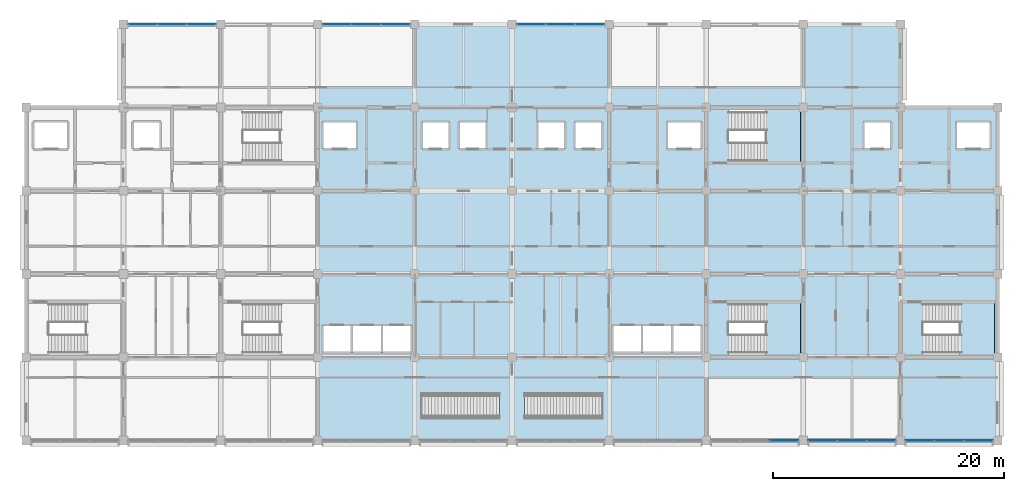
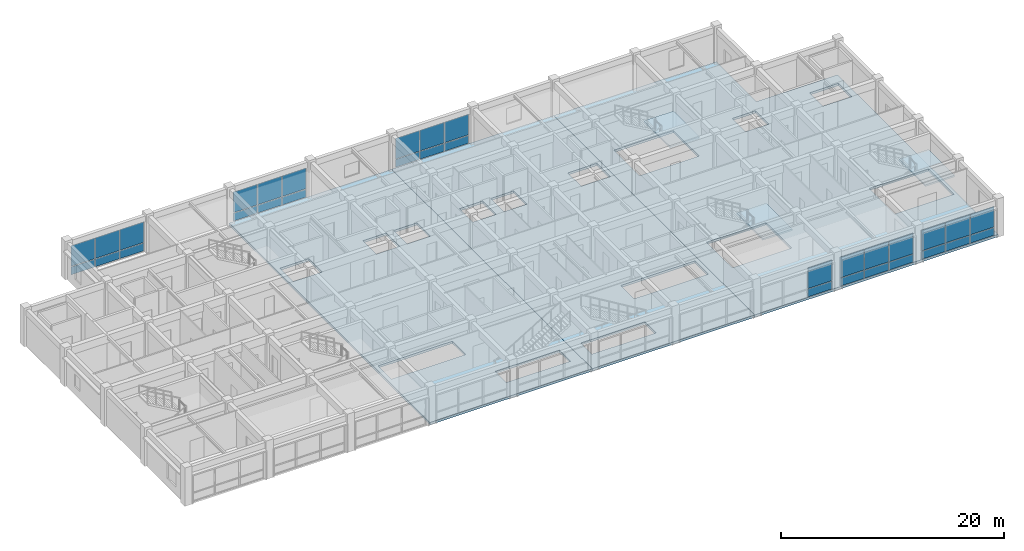
# One storey, part 11 of 27: 32 plates, 6 slabs, 9 elements without a shape of their own.
"""IFC4 building model written with IfcOpenShell, lengths in metres."""

from ifc_helpers import new_model, si_unit, direction, frame, origin, origin_2d, place, context, subcontext, project, spatial, polyline, rectangle, outline, extrude, material, layer, layer_set, type_object, element, aggregate, save


model = new_model("IFC4")

# Units and contexts
model_context = context("Model", 3, precision=1e-05, world=origin(), true_north=direction((0.0, 1.0)))
body_context = subcontext(model_context, "Body", "Model", "MODEL_VIEW")
ifc_project = project(units=[si_unit("LENGTHUNIT", "METRE"), si_unit("AREAUNIT", "SQUARE_METRE"), si_unit("VOLUMEUNIT", "CUBIC_METRE"), si_unit("PLANEANGLEUNIT", "RADIAN"), si_unit("MASSUNIT", "GRAM", prefix="KILO")], contexts=[model_context])

# Site, building, storey
site_placement = place(None, origin())
site = spatial("IfcSite", under=ifc_project, at=site_placement, CompositionType="ELEMENT")
building_placement = place(site_placement, origin())
building = spatial("IfcBuilding", under=site, at=building_placement, Name="Chengyuan Square Courthouse", CompositionType="ELEMENT")
storey_placement = place(building_placement, frame((0.0, 0.0, 39.300048828125)))
storey = spatial("IfcBuildingStorey", under=building, at=storey_placement, Name="L09", CompositionType="ELEMENT", Elevation=39.300048828125)

# Curtain wall, plates
ifc_material_1 = material(Name="Unitised Aluminium and Triple Low-E Glass", Category="aluminium")
ifc_layer_1 = layer(ifc_material_1, 0.159912109375)
ifc_layer_set_1 = layer_set([ifc_layer_1], Name="Unitised Aluminium and Triple Low-E Glass")
curtain_wall_type = type_object("IfcCurtainWallType", Name="CW-01", PredefinedType="USERDEFINED", material=ifc_layer_set_1)
curtain_wall_1_placement = place(storey_placement, origin())
curtain_wall_1 = element("IfcCurtainWall", 1, at=curtain_wall_1_placement, inside=storey, type_object=curtain_wall_type, Name="Unitised Curtain Wall CW-L09-236", ObjectType="UNITISED CURTAIN WALL", PredefinedType="USERDEFINED")
ifc_material_2 = material(Name="Triple Low-E Insulating Glass", Category="glass")
ifc_layer_2 = layer(ifc_material_2, 0.02392578125)
ifc_layer_set_2 = layer_set([ifc_layer_2], Name="Triple Low-E Insulating Glass")
plate_type = type_object("IfcPlateType", Name="CWP-01", PredefinedType="CURTAIN_PANEL", material=ifc_layer_set_2)
plate_1_placement = place(storey_placement, frame((52.06494140625, 115.199951171875, 0.06005859375), z_axis=(0.0, 0.0, 1.0), x_axis=(1.0, 0.0, 0.0)))
plate_1 = element("IfcPlate", 2, at=plate_1_placement, type_object=plate_type, Name="CW-01 panel 1.1", PredefinedType="CURTAIN_PANEL", context=body_context, shape_type="SweptSolid", body=[
    extrude(rectangle(XDim=2.4599609375, YDim=0.02392578125, at=origin_2d()), origin(), (0.0, 0.0, 1.0), 0.860107421875),
])
plate_2_placement = place(storey_placement, frame((52.06494140625, 115.199951171875, 0.97998046875), z_axis=(0.0, 0.0, 1.0), x_axis=(1.0, 0.0, 0.0)))
plate_2 = element("IfcPlate", 3, at=plate_2_placement, type_object=plate_type, Name="CW-01 panel 1.2", PredefinedType="CURTAIN_PANEL", context=body_context, shape_type="SweptSolid", body=[
    extrude(rectangle(XDim=2.4599609375, YDim=0.02392578125, at=origin_2d()), origin(), (0.0, 0.0, 1.0), 2.260009765625),
])
plate_3_placement = place(storey_placement, frame((54.60009765625, 115.199951171875, 0.06005859375), z_axis=(0.0, 0.0, 1.0), x_axis=(1.0, 0.0, 0.0)))
plate_3 = element("IfcPlate", 4, at=plate_3_placement, type_object=plate_type, Name="CW-01 panel 2.1", PredefinedType="CURTAIN_PANEL", context=body_context, shape_type="SweptSolid", body=[
    extrude(rectangle(XDim=2.489990234375, YDim=0.02392578125, at=origin_2d()), origin(), (0.0, 0.0, 1.0), 0.860107421875),
])
plate_4_placement = place(storey_placement, frame((54.60009765625, 115.199951171875, 0.97998046875), z_axis=(0.0, 0.0, 1.0), x_axis=(1.0, 0.0, 0.0)))
plate_4 = element("IfcPlate", 5, at=plate_4_placement, type_object=plate_type, Name="CW-01 panel 2.2", PredefinedType="CURTAIN_PANEL", context=body_context, shape_type="SweptSolid", body=[
    extrude(rectangle(XDim=2.489990234375, YDim=0.02392578125, at=origin_2d()), origin(), (0.0, 0.0, 1.0), 2.260009765625),
])
plate_5_placement = place(storey_placement, frame((57.135009765625, 115.199951171875, 0.06005859375), z_axis=(0.0, 0.0, 1.0), x_axis=(1.0, 0.0, 0.0)))
plate_5 = element("IfcPlate", 6, at=plate_5_placement, type_object=plate_type, Name="CW-01 panel 3.1", PredefinedType="CURTAIN_PANEL", context=body_context, shape_type="SweptSolid", body=[
    extrude(rectangle(XDim=2.4599609375, YDim=0.02392578125, at=origin_2d()), origin(), (0.0, 0.0, 1.0), 0.860107421875),
])
plate_6_placement = place(storey_placement, frame((57.135009765625, 115.199951171875, 0.97998046875), z_axis=(0.0, 0.0, 1.0), x_axis=(1.0, 0.0, 0.0)))
plate_6 = element("IfcPlate", 7, at=plate_6_placement, type_object=plate_type, Name="CW-01 panel 3.2", PredefinedType="CURTAIN_PANEL", context=body_context, shape_type="SweptSolid", body=[
    extrude(rectangle(XDim=2.4599609375, YDim=0.02392578125, at=origin_2d()), origin(), (0.0, 0.0, 1.0), 2.260009765625),
])
aggregate(curtain_wall_1, [plate_1, plate_2, plate_3, plate_4, plate_5, plate_6])

curtain_wall_2_placement = place(storey_placement, origin())
curtain_wall_2 = element("IfcCurtainWall", 8, at=curtain_wall_2_placement, inside=storey, type_object=curtain_wall_type, Name="Unitised Curtain Wall CW-L09-239", ObjectType="UNITISED CURTAIN WALL", PredefinedType="USERDEFINED")
plate_7_placement = place(storey_placement, frame((68.864990234375, 115.199951171875, 0.06005859375), z_axis=(0.0, 0.0, 1.0), x_axis=(1.0, 0.0, 0.0)))
plate_7 = element("IfcPlate", 9, at=plate_7_placement, type_object=plate_type, Name="CW-01 panel 1.1", PredefinedType="CURTAIN_PANEL", context=body_context, shape_type="SweptSolid", body=[
    extrude(rectangle(XDim=2.4599609375, YDim=0.02392578125, at=origin_2d()), origin(), (0.0, 0.0, 1.0), 0.860107421875),
])
plate_8_placement = place(storey_placement, frame((68.864990234375, 115.199951171875, 0.97998046875), z_axis=(0.0, 0.0, 1.0), x_axis=(1.0, 0.0, 0.0)))
plate_8 = element("IfcPlate", 10, at=plate_8_placement, type_object=plate_type, Name="CW-01 panel 1.2", PredefinedType="CURTAIN_PANEL", context=body_context, shape_type="SweptSolid", body=[
    extrude(rectangle(XDim=2.4599609375, YDim=0.02392578125, at=origin_2d()), origin(), (0.0, 0.0, 1.0), 2.260009765625),
])
plate_9_placement = place(storey_placement, frame((71.39990234375, 115.199951171875, 0.06005859375), z_axis=(0.0, 0.0, 1.0), x_axis=(1.0, 0.0, 0.0)))
plate_9 = element("IfcPlate", 11, at=plate_9_placement, type_object=plate_type, Name="CW-01 panel 2.1", PredefinedType="CURTAIN_PANEL", context=body_context, shape_type="SweptSolid", body=[
    extrude(rectangle(XDim=2.489990234375, YDim=0.02392578125, at=origin_2d()), origin(), (0.0, 0.0, 1.0), 0.860107421875),
])
plate_10_placement = place(storey_placement, frame((71.39990234375, 115.199951171875, 0.97998046875), z_axis=(0.0, 0.0, 1.0), x_axis=(1.0, 0.0, 0.0)))
plate_10 = element("IfcPlate", 12, at=plate_10_placement, type_object=plate_type, Name="CW-01 panel 2.2", PredefinedType="CURTAIN_PANEL", context=body_context, shape_type="SweptSolid", body=[
    extrude(rectangle(XDim=2.489990234375, YDim=0.02392578125, at=origin_2d()), origin(), (0.0, 0.0, 1.0), 2.260009765625),
])
plate_11_placement = place(storey_placement, frame((73.93505859375, 115.199951171875, 0.06005859375), z_axis=(0.0, 0.0, 1.0), x_axis=(1.0, 0.0, 0.0)))
plate_11 = element("IfcPlate", 13, at=plate_11_placement, type_object=plate_type, Name="CW-01 panel 3.1", PredefinedType="CURTAIN_PANEL", context=body_context, shape_type="SweptSolid", body=[
    extrude(rectangle(XDim=2.4599609375, YDim=0.02392578125, at=origin_2d()), origin(), (0.0, 0.0, 1.0), 0.860107421875),
])
plate_12_placement = place(storey_placement, frame((73.93505859375, 115.199951171875, 0.97998046875), z_axis=(0.0, 0.0, 1.0), x_axis=(1.0, 0.0, 0.0)))
plate_12 = element("IfcPlate", 14, at=plate_12_placement, type_object=plate_type, Name="CW-01 panel 3.2", PredefinedType="CURTAIN_PANEL", context=body_context, shape_type="SweptSolid", body=[
    extrude(rectangle(XDim=2.4599609375, YDim=0.02392578125, at=origin_2d()), origin(), (0.0, 0.0, 1.0), 2.260009765625),
])
aggregate(curtain_wall_2, [plate_7, plate_8, plate_9, plate_10, plate_11, plate_12])

curtain_wall_3_placement = place(storey_placement, origin())
curtain_wall_3 = element("IfcCurtainWall", 15, at=curtain_wall_3_placement, inside=storey, type_object=curtain_wall_type, Name="Unitised Curtain Wall CW-L09-242", ObjectType="UNITISED CURTAIN WALL", PredefinedType="USERDEFINED")
plate_13_placement = place(storey_placement, frame((85.6650390625, 115.199951171875, 0.06005859375), z_axis=(0.0, 0.0, 1.0), x_axis=(1.0, 0.0, 0.0)))
plate_13 = element("IfcPlate", 16, at=plate_13_placement, type_object=plate_type, Name="CW-01 panel 1.1", PredefinedType="CURTAIN_PANEL", context=body_context, shape_type="SweptSolid", body=[
    extrude(rectangle(XDim=2.4599609375, YDim=0.02392578125, at=origin_2d()), origin(), (0.0, 0.0, 1.0), 0.860107421875),
])
plate_14_placement = place(storey_placement, frame((85.6650390625, 115.199951171875, 0.97998046875), z_axis=(0.0, 0.0, 1.0), x_axis=(1.0, 0.0, 0.0)))
plate_14 = element("IfcPlate", 17, at=plate_14_placement, type_object=plate_type, Name="CW-01 panel 1.2", PredefinedType="CURTAIN_PANEL", context=body_context, shape_type="SweptSolid", body=[
    extrude(rectangle(XDim=2.4599609375, YDim=0.02392578125, at=origin_2d()), origin(), (0.0, 0.0, 1.0), 2.260009765625),
])
plate_15_placement = place(storey_placement, frame((88.199951171875, 115.199951171875, 0.06005859375), z_axis=(0.0, 0.0, 1.0), x_axis=(1.0, 0.0, 0.0)))
plate_15 = element("IfcPlate", 18, at=plate_15_placement, type_object=plate_type, Name="CW-01 panel 2.1", PredefinedType="CURTAIN_PANEL", context=body_context, shape_type="SweptSolid", body=[
    extrude(rectangle(XDim=2.489990234375, YDim=0.02392578125, at=origin_2d()), origin(), (0.0, 0.0, 1.0), 0.860107421875),
])
plate_16_placement = place(storey_placement, frame((88.199951171875, 115.199951171875, 0.97998046875), z_axis=(0.0, 0.0, 1.0), x_axis=(1.0, 0.0, 0.0)))
plate_16 = element("IfcPlate", 19, at=plate_16_placement, type_object=plate_type, Name="CW-01 panel 2.2", PredefinedType="CURTAIN_PANEL", context=body_context, shape_type="SweptSolid", body=[
    extrude(rectangle(XDim=2.489990234375, YDim=0.02392578125, at=origin_2d()), origin(), (0.0, 0.0, 1.0), 2.260009765625),
])
plate_17_placement = place(storey_placement, frame((90.735107421875, 115.199951171875, 0.06005859375), z_axis=(0.0, 0.0, 1.0), x_axis=(1.0, 0.0, 0.0)))
plate_17 = element("IfcPlate", 20, at=plate_17_placement, type_object=plate_type, Name="CW-01 panel 3.1", PredefinedType="CURTAIN_PANEL", context=body_context, shape_type="SweptSolid", body=[
    extrude(rectangle(XDim=2.4599609375, YDim=0.02392578125, at=origin_2d()), origin(), (0.0, 0.0, 1.0), 0.860107421875),
])
plate_18_placement = place(storey_placement, frame((90.735107421875, 115.199951171875, 0.97998046875), z_axis=(0.0, 0.0, 1.0), x_axis=(1.0, 0.0, 0.0)))
plate_18 = element("IfcPlate", 21, at=plate_18_placement, type_object=plate_type, Name="CW-01 panel 3.2", PredefinedType="CURTAIN_PANEL", context=body_context, shape_type="SweptSolid", body=[
    extrude(rectangle(XDim=2.4599609375, YDim=0.02392578125, at=origin_2d()), origin(), (0.0, 0.0, 1.0), 2.260009765625),
])
aggregate(curtain_wall_3, [plate_13, plate_14, plate_15, plate_16, plate_17, plate_18])

curtain_wall_4_placement = place(storey_placement, origin())
curtain_wall_4 = element("IfcCurtainWall", 22, at=curtain_wall_4_placement, inside=storey, type_object=curtain_wall_type, Name="Unitised Curtain Wall CW-L09-244", ObjectType="UNITISED CURTAIN WALL", PredefinedType="USERDEFINED")
plate_19_placement = place(storey_placement, frame((107.534912109375, 79.199951171875, 0.06005859375), z_axis=(0.0, 0.0, 1.0), x_axis=(1.0, 0.0, 0.0)))
plate_19 = element("IfcPlate", 23, at=plate_19_placement, type_object=plate_type, Name="CW-01 panel 3.1", PredefinedType="CURTAIN_PANEL", context=body_context, shape_type="SweptSolid", body=[
    extrude(rectangle(XDim=2.4599609375, YDim=0.02392578125, at=origin_2d()), origin(), (0.0, 0.0, 1.0), 0.860107421875),
])
plate_20_placement = place(storey_placement, frame((107.534912109375, 79.199951171875, 0.97998046875), z_axis=(0.0, 0.0, 1.0), x_axis=(1.0, 0.0, 0.0)))
plate_20 = element("IfcPlate", 24, at=plate_20_placement, type_object=plate_type, Name="CW-01 panel 3.2", PredefinedType="CURTAIN_PANEL", context=body_context, shape_type="SweptSolid", body=[
    extrude(rectangle(XDim=2.4599609375, YDim=0.02392578125, at=origin_2d()), origin(), (0.0, 0.0, 1.0), 2.260009765625),
])
aggregate(curtain_wall_4, [plate_19, plate_20])

curtain_wall_5_placement = place(storey_placement, origin())
curtain_wall_5 = element("IfcCurtainWall", 25, at=curtain_wall_5_placement, inside=storey, type_object=curtain_wall_type, Name="Unitised Curtain Wall CW-L09-245", ObjectType="UNITISED CURTAIN WALL", PredefinedType="USERDEFINED")
plate_21_placement = place(storey_placement, frame((110.864990234375, 79.199951171875, 0.06005859375), z_axis=(0.0, 0.0, 1.0), x_axis=(1.0, 0.0, 0.0)))
plate_21 = element("IfcPlate", 26, at=plate_21_placement, type_object=plate_type, Name="CW-01 panel 1.1", PredefinedType="CURTAIN_PANEL", context=body_context, shape_type="SweptSolid", body=[
    extrude(rectangle(XDim=2.4599609375, YDim=0.02392578125, at=origin_2d()), origin(), (0.0, 0.0, 1.0), 0.860107421875),
])
plate_22_placement = place(storey_placement, frame((110.864990234375, 79.199951171875, 0.97998046875), z_axis=(0.0, 0.0, 1.0), x_axis=(1.0, 0.0, 0.0)))
plate_22 = element("IfcPlate", 27, at=plate_22_placement, type_object=plate_type, Name="CW-01 panel 1.2", PredefinedType="CURTAIN_PANEL", context=body_context, shape_type="SweptSolid", body=[
    extrude(rectangle(XDim=2.4599609375, YDim=0.02392578125, at=origin_2d()), origin(), (0.0, 0.0, 1.0), 2.260009765625),
])
plate_23_placement = place(storey_placement, frame((113.39990234375, 79.199951171875, 0.06005859375), z_axis=(0.0, 0.0, 1.0), x_axis=(1.0, 0.0, 0.0)))
plate_23 = element("IfcPlate", 28, at=plate_23_placement, type_object=plate_type, Name="CW-01 panel 2.1", PredefinedType="CURTAIN_PANEL", context=body_context, shape_type="SweptSolid", body=[
    extrude(rectangle(XDim=2.489990234375, YDim=0.02392578125, at=origin_2d()), origin(), (0.0, 0.0, 1.0), 0.860107421875),
])
plate_24_placement = place(storey_placement, frame((113.39990234375, 79.199951171875, 0.97998046875), z_axis=(0.0, 0.0, 1.0), x_axis=(1.0, 0.0, 0.0)))
plate_24 = element("IfcPlate", 29, at=plate_24_placement, type_object=plate_type, Name="CW-01 panel 2.2", PredefinedType="CURTAIN_PANEL", context=body_context, shape_type="SweptSolid", body=[
    extrude(rectangle(XDim=2.489990234375, YDim=0.02392578125, at=origin_2d()), origin(), (0.0, 0.0, 1.0), 2.260009765625),
])
plate_25_placement = place(storey_placement, frame((115.93505859375, 79.199951171875, 0.06005859375), z_axis=(0.0, 0.0, 1.0), x_axis=(1.0, 0.0, 0.0)))
plate_25 = element("IfcPlate", 30, at=plate_25_placement, type_object=plate_type, Name="CW-01 panel 3.1", PredefinedType="CURTAIN_PANEL", context=body_context, shape_type="SweptSolid", body=[
    extrude(rectangle(XDim=2.4599609375, YDim=0.02392578125, at=origin_2d()), origin(), (0.0, 0.0, 1.0), 0.860107421875),
])
plate_26_placement = place(storey_placement, frame((115.93505859375, 79.199951171875, 0.97998046875), z_axis=(0.0, 0.0, 1.0), x_axis=(1.0, 0.0, 0.0)))
plate_26 = element("IfcPlate", 31, at=plate_26_placement, type_object=plate_type, Name="CW-01 panel 3.2", PredefinedType="CURTAIN_PANEL", context=body_context, shape_type="SweptSolid", body=[
    extrude(rectangle(XDim=2.4599609375, YDim=0.02392578125, at=origin_2d()), origin(), (0.0, 0.0, 1.0), 2.260009765625),
])
aggregate(curtain_wall_5, [plate_21, plate_22, plate_23, plate_24, plate_25, plate_26])

curtain_wall_6_placement = place(storey_placement, origin())
curtain_wall_6 = element("IfcCurtainWall", 32, at=curtain_wall_6_placement, inside=storey, type_object=curtain_wall_type, Name="Unitised Curtain Wall CW-L09-246", ObjectType="UNITISED CURTAIN WALL", PredefinedType="USERDEFINED")
plate_27_placement = place(storey_placement, frame((119.264892578125, 79.199951171875, 0.06005859375), z_axis=(0.0, 0.0, 1.0), x_axis=(1.0, 0.0, 0.0)))
plate_27 = element("IfcPlate", 33, at=plate_27_placement, type_object=plate_type, Name="CW-01 panel 1.1", PredefinedType="CURTAIN_PANEL", context=body_context, shape_type="SweptSolid", body=[
    extrude(rectangle(XDim=2.4599609375, YDim=0.02392578125, at=origin_2d()), origin(), (0.0, 0.0, 1.0), 0.860107421875),
])
plate_28_placement = place(storey_placement, frame((119.264892578125, 79.199951171875, 0.97998046875), z_axis=(0.0, 0.0, 1.0), x_axis=(1.0, 0.0, 0.0)))
plate_28 = element("IfcPlate", 34, at=plate_28_placement, type_object=plate_type, Name="CW-01 panel 1.2", PredefinedType="CURTAIN_PANEL", context=body_context, shape_type="SweptSolid", body=[
    extrude(rectangle(XDim=2.4599609375, YDim=0.02392578125, at=origin_2d()), origin(), (0.0, 0.0, 1.0), 2.260009765625),
])
plate_29_placement = place(storey_placement, frame((121.800048828125, 79.199951171875, 0.06005859375), z_axis=(0.0, 0.0, 1.0), x_axis=(1.0, 0.0, 0.0)))
plate_29 = element("IfcPlate", 35, at=plate_29_placement, type_object=plate_type, Name="CW-01 panel 2.1", PredefinedType="CURTAIN_PANEL", context=body_context, shape_type="SweptSolid", body=[
    extrude(rectangle(XDim=2.489990234375, YDim=0.02392578125, at=origin_2d()), origin(), (0.0, 0.0, 1.0), 0.860107421875),
])
plate_30_placement = place(storey_placement, frame((121.800048828125, 79.199951171875, 0.97998046875), z_axis=(0.0, 0.0, 1.0), x_axis=(1.0, 0.0, 0.0)))
plate_30 = element("IfcPlate", 36, at=plate_30_placement, type_object=plate_type, Name="CW-01 panel 2.2", PredefinedType="CURTAIN_PANEL", context=body_context, shape_type="SweptSolid", body=[
    extrude(rectangle(XDim=2.489990234375, YDim=0.02392578125, at=origin_2d()), origin(), (0.0, 0.0, 1.0), 2.260009765625),
])
plate_31_placement = place(storey_placement, frame((124.3349609375, 79.199951171875, 0.06005859375), z_axis=(0.0, 0.0, 1.0), x_axis=(1.0, 0.0, 0.0)))
plate_31 = element("IfcPlate", 37, at=plate_31_placement, type_object=plate_type, Name="CW-01 panel 3.1", PredefinedType="CURTAIN_PANEL", context=body_context, shape_type="SweptSolid", body=[
    extrude(rectangle(XDim=2.4599609375, YDim=0.02392578125, at=origin_2d()), origin(), (0.0, 0.0, 1.0), 0.860107421875),
])
plate_32_placement = place(storey_placement, frame((124.3349609375, 79.199951171875, 0.97998046875), z_axis=(0.0, 0.0, 1.0), x_axis=(1.0, 0.0, 0.0)))
plate_32 = element("IfcPlate", 38, at=plate_32_placement, type_object=plate_type, Name="CW-01 panel 3.2", PredefinedType="CURTAIN_PANEL", context=body_context, shape_type="SweptSolid", body=[
    extrude(rectangle(XDim=2.4599609375, YDim=0.02392578125, at=origin_2d()), origin(), (0.0, 0.0, 1.0), 2.260009765625),
])
aggregate(curtain_wall_6, [plate_27, plate_28, plate_29, plate_30, plate_31, plate_32])

# Stair, slab
ifc_material_3 = material(Name="Concrete C40", Category="concrete")
stair_type_1 = type_object("IfcStairType", Name="ST-TYPE-02", PredefinedType="HALF_TURN_STAIR", material=ifc_material_3)
stair_1_placement = place(storey_placement, origin())
stair_1 = element("IfcStair", 39, at=stair_1_placement, inside=storey, type_object=stair_type_1, Name="Smoke-Proof Exit Stair ST-2 (L09 to L10)", PredefinedType="HALF_TURN_STAIR")
ifc_layer_3 = layer(ifc_material_3, 0.179931640625)
ifc_layer_set_3 = layer_set([ifc_layer_3], Name="Concrete C40")
slab_type_1 = type_object("IfcSlabType", Name="SL-LND2", PredefinedType="LANDING", material=ifc_layer_set_3)
slab_1_placement = place(storey_placement, frame((0.0, 0.0, 1.919921875)))
slab_1 = element("IfcSlab", 40, at=slab_1_placement, type_object=slab_type_1, Name="ST-2 landing 1", PredefinedType="LANDING", context=body_context, shape_type="SweptSolid", body=[
    extrude(outline(polyline([(105.889892578125, 103.159912109375), (108.93994140625, 103.159912109375), (108.93994140625, 107.840087890625), (105.889892578125, 107.840087890625), (105.889892578125, 103.159912109375)])), origin(), (0.0, 0.0, 1.0), 0.179931640625),
])
aggregate(stair_1, [slab_1])

stair_type_2 = type_object("IfcStairType", Name="ST-TYPE-04", PredefinedType="HALF_TURN_STAIR", material=ifc_material_3)
stair_2_placement = place(storey_placement, origin())
stair_2 = element("IfcStair", 41, at=stair_2_placement, inside=storey, type_object=stair_type_2, Name="Smoke-Proof Exit Stair ST-4 (L09 to L10)", PredefinedType="HALF_TURN_STAIR")
slab_2_placement = place(storey_placement, frame((0.0, 0.0, 1.919921875)))
slab_2 = element("IfcSlab", 42, at=slab_2_placement, type_object=slab_type_1, Name="ST-4 landing 1", PredefinedType="LANDING", context=body_context, shape_type="SweptSolid", body=[
    extrude(outline(polyline([(105.889892578125, 86.56005859375), (108.93994140625, 86.56005859375), (108.93994140625, 91.239990234375), (105.889892578125, 91.239990234375), (105.889892578125, 86.56005859375)])), origin(), (0.0, 0.0, 1.0), 0.179931640625),
])
aggregate(stair_2, [slab_2])

stair_type_3 = type_object("IfcStairType", Name="ST-TYPE-06", PredefinedType="HALF_TURN_STAIR", material=ifc_material_3)
stair_3_placement = place(storey_placement, origin())
stair_3 = element("IfcStair", 43, at=stair_3_placement, inside=storey, type_object=stair_type_3, Name="Smoke-Proof Exit Stair ST-6 (L09 to L10)", PredefinedType="HALF_TURN_STAIR")
slab_3_placement = place(storey_placement, frame((0.0, 0.0, 1.919921875)))
slab_3 = element("IfcSlab", 44, at=slab_3_placement, type_object=slab_type_1, Name="ST-6 landing 1", PredefinedType="LANDING", context=body_context, shape_type="SweptSolid", body=[
    extrude(outline(polyline([(122.68994140625, 86.56005859375), (125.739990234375, 86.56005859375), (125.739990234375, 91.239990234375), (122.68994140625, 91.239990234375), (122.68994140625, 86.56005859375)])), origin(), (0.0, 0.0, 1.0), 0.179931640625),
])
aggregate(stair_3, [slab_3])

# Slabs
ifc_layer_4 = layer(ifc_material_3, 0.25)
ifc_layer_set_4 = layer_set([ifc_layer_4], Name="Concrete C40")
slab_type_2 = type_object("IfcSlabType", Name="SL-RC25", PredefinedType="FLOOR", material=ifc_layer_set_4)
slab_4_placement = place(storey_placement, frame((0.0, 0.0, -0.25)))
element("IfcSlab", 45, at=slab_4_placement, inside=storey, type_object=slab_type_2, Name="Suspended Floor Slab SL-L09-02", PredefinedType="FLOOR", context=body_context, shape_type="SweptSolid", body=[
    extrude(outline(polyline([(75.60009765625, 115.199951171875), (84.0, 115.199951171875), (84.0, 79.199951171875), (75.60009765625, 79.199951171875), (67.199951171875, 79.199951171875), (67.199951171875, 115.199951171875), (75.60009765625, 115.199951171875)]), holes=[polyline([(76.25, 83.199951171875), (76.25, 81.199951171875), (82.89990234375, 81.199951171875), (82.89990234375, 83.199951171875), (76.25, 83.199951171875)]), polyline([(70.14990234375, 89.199951171875), (67.60009765625, 89.199951171875), (67.60009765625, 86.800048828125), (70.14990234375, 86.800048828125), (72.75, 86.800048828125), (75.300048828125, 86.800048828125), (75.300048828125, 89.199951171875), (72.75, 89.199951171875), (70.14990234375, 89.199951171875)]), polyline([(67.60009765625, 106.800048828125), (67.60009765625, 104.39990234375), (70.60009765625, 104.39990234375), (70.60009765625, 106.800048828125), (67.60009765625, 106.800048828125)]), polyline([(78.60009765625, 106.800048828125), (76.199951171875, 106.800048828125), (76.199951171875, 104.39990234375), (78.60009765625, 104.39990234375), (78.60009765625, 106.800048828125)]), polyline([(81.800048828125, 106.800048828125), (79.39990234375, 106.800048828125), (79.39990234375, 104.39990234375), (81.800048828125, 104.39990234375), (81.800048828125, 106.800048828125)])]), origin(), (0.0, 0.0, 1.0), 0.25),
])
slab_5_placement = place(storey_placement, frame((0.0, 0.0, -0.25)))
element("IfcSlab", 46, at=slab_5_placement, inside=storey, type_object=slab_type_2, Name="Suspended Floor Slab SL-L09-03", PredefinedType="FLOOR", context=body_context, shape_type="SweptSolid", body=[
    extrude(outline(polyline([(92.39990234375, 115.199951171875), (100.800048828125, 115.199951171875), (100.800048828125, 79.199951171875), (92.39990234375, 79.199951171875), (84.0, 79.199951171875), (84.0, 115.199951171875), (92.39990234375, 115.199951171875)]), holes=[polyline([(85.10009765625, 83.199951171875), (85.10009765625, 81.199951171875), (91.75, 81.199951171875), (91.75, 83.199951171875), (85.10009765625, 83.199951171875)]), polyline([(95.25, 89.199951171875), (92.699951171875, 89.199951171875), (92.699951171875, 86.800048828125), (95.25, 86.800048828125), (97.85009765625, 86.800048828125), (100.39990234375, 86.800048828125), (100.39990234375, 89.199951171875), (97.85009765625, 89.199951171875), (95.25, 89.199951171875)]), polyline([(88.60009765625, 106.800048828125), (86.199951171875, 106.800048828125), (86.199951171875, 104.39990234375), (88.60009765625, 104.39990234375), (88.60009765625, 106.800048828125)]), polyline([(91.800048828125, 106.800048828125), (89.39990234375, 106.800048828125), (89.39990234375, 104.39990234375), (91.800048828125, 104.39990234375), (91.800048828125, 106.800048828125)]), polyline([(97.39990234375, 106.800048828125), (97.39990234375, 104.39990234375), (100.39990234375, 104.39990234375), (100.39990234375, 106.800048828125), (97.39990234375, 106.800048828125)])]), origin(), (0.0, 0.0, 1.0), 0.25),
])
slab_6_placement = place(storey_placement, frame((0.0, 0.0, -0.25)))
element("IfcSlab", 47, at=slab_6_placement, inside=storey, type_object=slab_type_2, Name="Suspended Floor Slab SL-L09-04", PredefinedType="FLOOR", context=body_context, shape_type="SweptSolid", body=[
    extrude(outline(polyline([(109.199951171875, 115.199951171875), (117.60009765625, 115.199951171875), (117.60009765625, 108.0), (126.0, 108.0), (126.0, 100.800048828125), (126.0, 93.60009765625), (126.0, 86.39990234375), (126.0, 79.199951171875), (117.60009765625, 79.199951171875), (109.199951171875, 79.199951171875), (100.800048828125, 79.199951171875), (100.800048828125, 115.199951171875), (109.199951171875, 115.199951171875)]), holes=[polyline([(108.89990234375, 91.199951171875), (102.75, 91.199951171875), (102.75, 86.60009765625), (108.89990234375, 86.60009765625), (108.89990234375, 91.199951171875)]), polyline([(125.699951171875, 91.199951171875), (119.550048828125, 91.199951171875), (119.550048828125, 86.60009765625), (125.699951171875, 86.60009765625), (125.699951171875, 91.199951171875)]), polyline([(102.75, 107.800048828125), (102.75, 103.199951171875), (108.89990234375, 103.199951171875), (108.89990234375, 107.800048828125), (102.75, 107.800048828125)]), polyline([(116.800048828125, 106.800048828125), (114.39990234375, 106.800048828125), (114.39990234375, 104.39990234375), (116.800048828125, 104.39990234375), (116.800048828125, 106.800048828125)]), polyline([(125.39990234375, 106.800048828125), (122.39990234375, 106.800048828125), (122.39990234375, 104.39990234375), (125.39990234375, 104.39990234375), (125.39990234375, 106.800048828125)])]), origin(), (0.0, 0.0, 1.0), 0.25),
])

save(model, "model.ifc")
